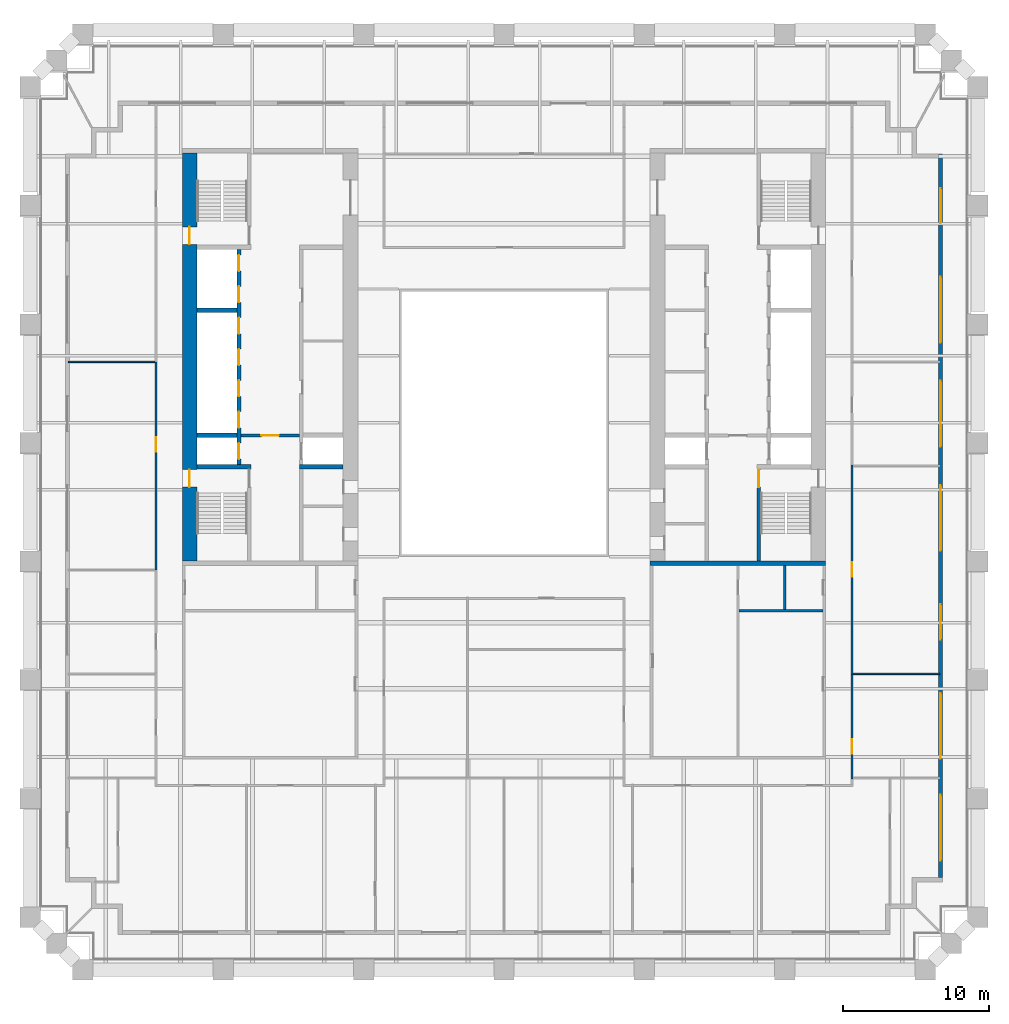
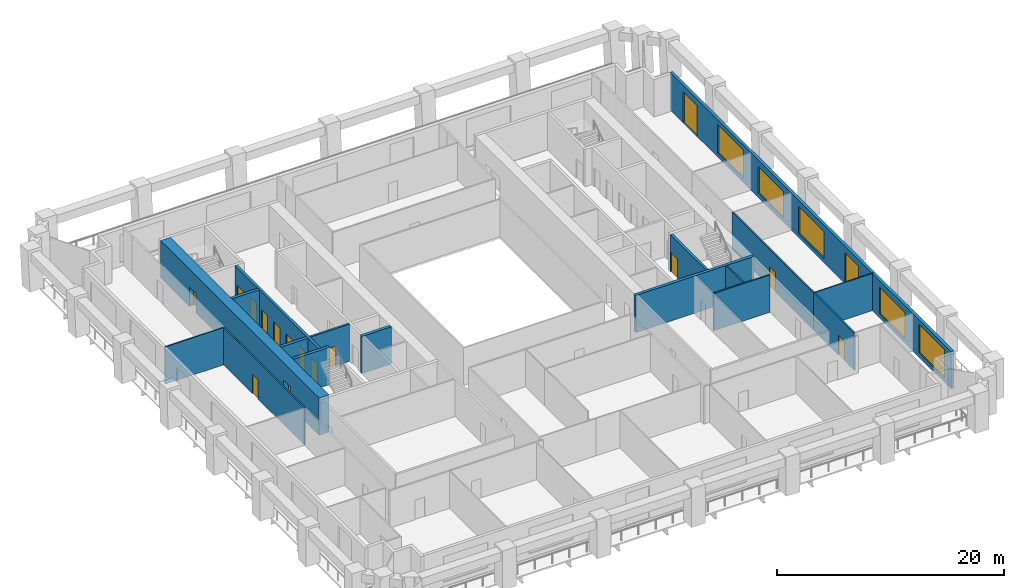
# One storey, part 5 of 9: 17 walls, 16 doors, 5 windows, 21 openings.
"""IFC4 building model written with IfcOpenShell, lengths in metres."""

from ifc_helpers import new_model, si_unit, direction, frame, frame_2d, origin, place, context, subcontext, project, spatial, rectangle, extrude, material, layer, layer_set, type_object, element, fill, save


model = new_model("IFC4")

# Units and contexts
model_context = context("Model", 3, precision=1e-05, world=origin(), true_north=direction((0.0, 1.0)))
body_context = subcontext(model_context, "Body", "Model", "MODEL_VIEW")
ifc_project = project(units=[si_unit("LENGTHUNIT", "METRE"), si_unit("AREAUNIT", "SQUARE_METRE"), si_unit("VOLUMEUNIT", "CUBIC_METRE"), si_unit("PLANEANGLEUNIT", "RADIAN"), si_unit("MASSUNIT", "GRAM", prefix="KILO")], contexts=[model_context])

# Site, building, storey
site_placement = place(None, origin())
site = spatial("IfcSite", under=ifc_project, at=site_placement, CompositionType="ELEMENT")
building_placement = place(site_placement, origin())
building = spatial("IfcBuilding", under=site, at=building_placement, Name="Ogive Exchange Tower", CompositionType="ELEMENT")
storey_placement = place(building_placement, frame((0.0, 0.0, 56.39990234375)))
storey = spatial("IfcBuildingStorey", under=building, at=storey_placement, Name="L11", CompositionType="ELEMENT", Elevation=56.39990234375)

# Walls
ifc_material_1 = material(Name="Gypsum board partition")
ifc_layer_1 = layer(ifc_material_1, 0.14990234375)
ifc_layer_set_1 = layer_set([ifc_layer_1], Name="Core room partition 150 gypsum")
wall_type_1 = type_object("IfcWallType", Name="Core room partition 150 gypsum", PredefinedType="PARTITIONING", material=ifc_layer_set_1)
wall_1_placement = place(storey_placement, frame((16.074951171875, -5.85009765625, 0.0), z_axis=(0.0, 0.0, 1.0), x_axis=(1.0, 0.0, 0.0)))
element("IfcWall", 1, at=wall_1_placement, inside=storey, type_object=wall_type_1, Name="E annex S wc strip wall 00", PredefinedType="PARTITIONING", context=body_context, shape_type="SweptSolid", body=[
    extrude(rectangle(XDim=5.72509765625, YDim=0.14990234375, at=frame_2d((2.862548828125, 0.0))), origin(), (0.0, 0.0, 1.0), 4.0),
])
wall_2_placement = place(storey_placement, frame((19.199951171875, -5.77490234375, 0.0), z_axis=(0.0, 0.0, 1.0), x_axis=(0.0, 1.0, 0.0)))
element("IfcWall", 2, at=wall_2_placement, inside=storey, type_object=wall_type_1, Name="E annex S wc partition 00", PredefinedType="PARTITIONING", context=body_context, shape_type="SweptSolid", body=[
    extrude(rectangle(XDim=3.02490234375, YDim=0.14990234375, at=frame_2d((1.512451171875, 0.0))), origin(), (0.0, 0.0, 1.0), 4.0),
])

# Wall, opening, door
ifc_material_2 = material(Name="Fire partition EI 60 150")
ifc_layer_2 = layer(ifc_material_2, 0.14990234375)
ifc_layer_set_2 = layer_set([ifc_layer_2], Name="Fire partition EI 60 150")
wall_type_2 = type_object("IfcWallType", Name="Fire partition EI 60 150", PredefinedType="PARTITIONING", material=ifc_layer_set_2)
wall_3_placement = place(storey_placement, frame((-23.800048828125, -3.06005859375, 0.0), z_axis=(0.0, 0.0, 1.0), x_axis=(0.0, 1.0, 0.0)))
wall_3 = element("IfcWall", 3, at=wall_3_placement, inside=storey, type_object=wall_type_2, Name="L11-PWL-010", PredefinedType="PARTITIONING", context=body_context, shape_type="SweptSolid", body=[
    extrude(rectangle(XDim=14.22998046875, YDim=0.14990234375, at=frame_2d((7.114990234375, 0.0))), origin(), (0.0, 0.0, 1.0), 4.0),
])
opening_1_placement = place(wall_3_placement, frame((8.080078125, 0.0, 0.0)))
opening_1 = element("IfcOpeningElement", 4, at=opening_1_placement, cuts=wall_3, Name="Opening L11-I11", PredefinedType="OPENING", context=body_context, shape_type="SweptSolid", body=[
    extrude(rectangle(XDim=1.0, YDim=2.10009765625, at=frame_2d((0.5, 1.050048828125))), frame((0.0, 0.0849609375, 0.0), z_axis=(0.0, -1.0, 0.0), x_axis=(1.0, 0.0, 0.0)), (0.0, 0.0, 1.0), 0.169921875),
])
ifc_material_3 = material(Name="Fire door FD 30S 1000 x 2100")
door_type_1 = type_object("IfcDoorType", Name="Fire door FD 30S 1000 x 2100", OperationType="NOTDEFINED", PredefinedType="DOOR", material=ifc_material_3)
door_1_placement = place(opening_1_placement, origin())
door_1 = element("IfcDoor", 5, at=door_1_placement, inside=storey, type_object=door_type_1, Name="L11-IDR-011", ObjectType="DT3", OperationType="SINGLE_SWING_LEFT", OverallHeight=2.10009765625, OverallWidth=1.0, PredefinedType="DOOR", context=body_context, shape_type="SweptSolid", body=[
    extrude(rectangle(XDim=1.0, YDim=2.10009765625, at=frame_2d((0.5, 1.050048828125))), frame((0.0, 0.02490234375, 0.0), z_axis=(0.0, -1.0, 0.0), x_axis=(1.0, 0.0, 0.0)), (0.0, 0.0, 1.0), 0.050048828125),
])
fill(opening_1, door_1)

wall_4_placement = place(storey_placement, frame((23.800048828125, -10.219970703125, 0.0), z_axis=(0.0, 0.0, 1.0), x_axis=(0.0, -1.0, 0.0)))
wall_4 = element("IfcWall", 6, at=wall_4_placement, inside=storey, type_object=wall_type_2, Name="L11-PWL-048", PredefinedType="PARTITIONING", context=body_context, shape_type="SweptSolid", body=[
    extrude(rectangle(XDim=7.1201171875, YDim=0.14990234375, at=frame_2d((3.56005859375, 0.0))), origin(), (0.0, 0.0, 1.0), 4.0),
])
opening_2_placement = place(wall_4_placement, frame((4.419921875, 0.0, 0.0)))
opening_2 = element("IfcOpeningElement", 7, at=opening_2_placement, cuts=wall_4, Name="Opening L11-I07", PredefinedType="OPENING", context=body_context, shape_type="SweptSolid", body=[
    extrude(rectangle(XDim=1.0, YDim=2.10009765625, at=frame_2d((0.5, 1.050048828125))), frame((0.0, 0.0849609375, 0.0), z_axis=(0.0, -1.0, 0.0), x_axis=(1.0, 0.0, 0.0)), (0.0, 0.0, 1.0), 0.169921875),
])
door_2_placement = place(opening_2_placement, origin())
door_2 = element("IfcDoor", 8, at=door_2_placement, inside=storey, type_object=door_type_1, Name="L11-IDR-007", ObjectType="DT3", OperationType="SINGLE_SWING_LEFT", OverallHeight=2.10009765625, OverallWidth=1.0, PredefinedType="DOOR", context=body_context, shape_type="SweptSolid", body=[
    extrude(rectangle(XDim=1.0, YDim=2.10009765625, at=frame_2d((0.5, 1.050048828125))), frame((0.0, 0.02490234375, 0.0), z_axis=(0.0, -1.0, 0.0), x_axis=(1.0, 0.0, 0.0)), (0.0, 0.0, 1.0), 0.050048828125),
])
fill(opening_2, door_2)

wall_5_placement = place(storey_placement, frame((23.800048828125, 4.110107421875, 0.0), z_axis=(0.0, 0.0, 1.0), x_axis=(0.0, -1.0, 0.0)))
wall_5 = element("IfcWall", 9, at=wall_5_placement, inside=storey, type_object=wall_type_2, Name="L11-PWL-049", PredefinedType="PARTITIONING", context=body_context, shape_type="SweptSolid", body=[
    extrude(rectangle(XDim=14.330078125, YDim=0.14990234375, at=frame_2d((7.1650390625, 0.0))), origin(), (0.0, 0.0, 1.0), 4.0),
])
opening_3_placement = place(wall_5_placement, frame((6.6298828125, 0.0, 0.0)))
opening_3 = element("IfcOpeningElement", 10, at=opening_3_placement, cuts=wall_5, Name="Opening L11-I06", PredefinedType="OPENING", context=body_context, shape_type="SweptSolid", body=[
    extrude(rectangle(XDim=1.0, YDim=2.10009765625, at=frame_2d((0.5, 1.050048828125))), frame((0.0, 0.0849609375, 0.0), z_axis=(0.0, -1.0, 0.0), x_axis=(1.0, 0.0, 0.0)), (0.0, 0.0, 1.0), 0.169921875),
])
door_3_placement = place(opening_3_placement, origin())
door_3 = element("IfcDoor", 11, at=door_3_placement, inside=storey, type_object=door_type_1, Name="L11-IDR-006", ObjectType="DT3", OperationType="SINGLE_SWING_LEFT", OverallHeight=2.10009765625, OverallWidth=1.0, PredefinedType="DOOR", context=body_context, shape_type="SweptSolid", body=[
    extrude(rectangle(XDim=1.0, YDim=2.10009765625, at=frame_2d((0.5, 1.050048828125))), frame((0.0, 0.02490234375, 0.0), z_axis=(0.0, -1.0, 0.0), x_axis=(1.0, 0.0, 0.0)), (0.0, 0.0, 1.0), 0.050048828125),
])
fill(opening_3, door_3)

# Wall, openings, doors, windows
ifc_material_4 = material(Name="Precast concrete C40/50", Category="concrete")
ifc_layer_3 = layer(ifc_material_4, 0.300048828125)
ifc_layer_set_3 = layer_set([ifc_layer_3], Name="Limestone-faced wall 300")
wall_type_3 = type_object("IfcWallType", Name="Limestone-faced wall 300", PredefinedType="STANDARD", material=ifc_layer_set_3)
wall_6_placement = place(storey_placement, frame((29.85009765625, -24.10009765625, 0.0), z_axis=(0.0, 0.0, 1.0), x_axis=(0.0, 1.0, 0.0)))
wall_6 = element("IfcWall", 12, at=wall_6_placement, inside=storey, type_object=wall_type_3, Name="External wall E2", PredefinedType="STANDARD", context=body_context, shape_type="SweptSolid", body=[
    extrude(rectangle(XDim=49.5, YDim=0.300048828125, at=frame_2d((24.75, 0.0))), origin(), (0.0, 0.0, 1.0), 4.0),
])
opening_4_placement = place(wall_6_placement, frame((1.156982421875, 0.0, 0.449951171875)))
opening_4 = element("IfcOpeningElement", 13, at=opening_4_placement, cuts=wall_6, Name="Opening W1", PredefinedType="OPENING", context=body_context, shape_type="SweptSolid", body=[
    extrude(rectangle(XDim=4.5, YDim=3.050048828125, at=frame_2d((2.25, 1.52490234375))), frame((0.0, 0.159912109375, 0.0), z_axis=(0.0, -1.0, 0.0), x_axis=(1.0, 0.0, 0.0)), (0.0, 0.0, 1.0), 0.320068359375),
])
opening_5_placement = place(wall_6_placement, frame((8.121337890625, 0.0, 0.449951171875)))
opening_5 = element("IfcOpeningElement", 14, at=opening_5_placement, cuts=wall_6, Name="Opening W1E", PredefinedType="OPENING", context=body_context, shape_type="SweptSolid", body=[
    extrude(rectangle(XDim=4.5, YDim=2.824951171875, at=frame_2d((2.25, 1.41259765625))), frame((0.0, 0.159912109375, 0.0), z_axis=(0.0, -1.0, 0.0), x_axis=(1.0, 0.0, 0.0)), (0.0, 0.0, 1.0), 0.320068359375),
])
opening_6_placement = place(wall_6_placement, frame((16.28564453125, 0.0, 0.0)))
opening_6 = element("IfcOpeningElement", 15, at=opening_6_placement, cuts=wall_6, Name="Opening D1C", PredefinedType="OPENING", context=body_context, shape_type="SweptSolid", body=[
    extrude(rectangle(XDim=2.39990234375, YDim=3.324951171875, at=frame_2d((1.199951171875, 1.66259765625))), frame((0.0, 0.159912109375, 0.0), z_axis=(0.0, -1.0, 0.0), x_axis=(1.0, 0.0, 0.0)), (0.0, 0.0, 1.0), 0.320068359375),
])
opening_7_placement = place(wall_6_placement, frame((22.35009765625, 0.0, 0.449951171875)))
opening_7 = element("IfcOpeningElement", 16, at=opening_7_placement, cuts=wall_6, Name="Opening W1D", PredefinedType="OPENING", context=body_context, shape_type="SweptSolid", body=[
    extrude(rectangle(XDim=4.5, YDim=2.875, at=frame_2d((2.25, 1.4375))), frame((0.0, 0.159912109375, 0.0), z_axis=(0.0, -1.0, 0.0), x_axis=(1.0, 0.0, 0.0)), (0.0, 0.0, 1.0), 0.320068359375),
])
opening_8_placement = place(wall_6_placement, frame((29.464111328125, 0.0, 0.449951171875)))
opening_8 = element("IfcOpeningElement", 17, at=opening_8_placement, cuts=wall_6, Name="Opening W1D", PredefinedType="OPENING", context=body_context, shape_type="SweptSolid", body=[
    extrude(rectangle(XDim=4.5, YDim=2.875, at=frame_2d((2.25, 1.4375))), frame((0.0, 0.159912109375, 0.0), z_axis=(0.0, -1.0, 0.0), x_axis=(1.0, 0.0, 0.0)), (0.0, 0.0, 1.0), 0.320068359375),
])
opening_9_placement = place(wall_6_placement, frame((36.57861328125, 0.0, 0.449951171875)))
opening_9 = element("IfcOpeningElement", 18, at=opening_9_placement, cuts=wall_6, Name="Opening W1", PredefinedType="OPENING", context=body_context, shape_type="SweptSolid", body=[
    extrude(rectangle(XDim=4.5, YDim=3.050048828125, at=frame_2d((2.25, 1.52490234375))), frame((0.0, 0.159912109375, 0.0), z_axis=(0.0, -1.0, 0.0), x_axis=(1.0, 0.0, 0.0)), (0.0, 0.0, 1.0), 0.320068359375),
])
opening_10_placement = place(wall_6_placement, frame((44.742919921875, 0.0, 0.0)))
opening_10 = element("IfcOpeningElement", 19, at=opening_10_placement, cuts=wall_6, Name="Opening D1C", PredefinedType="OPENING", context=body_context, shape_type="SweptSolid", body=[
    extrude(rectangle(XDim=2.39990234375, YDim=3.324951171875, at=frame_2d((1.199951171875, 1.66259765625))), frame((0.0, 0.159912109375, 0.0), z_axis=(0.0, -1.0, 0.0), x_axis=(1.0, 0.0, 0.0)), (0.0, 0.0, 1.0), 0.320068359375),
])
ifc_material_5 = material(Name="Clear glass in bronze frame", Category="glass")
door_type_2 = type_object("IfcDoorType", Name="Sliding loggia door 2400 x 3325", OperationType="DOUBLE_DOOR_SLIDING", PredefinedType="DOOR", material=ifc_material_5)
door_4_placement = place(opening_6_placement, origin())
door_4 = element("IfcDoor", 20, at=door_4_placement, inside=storey, type_object=door_type_2, Name="Loggia door E02", OperationType="DOUBLE_DOOR_SLIDING", OverallHeight=3.324951171875, OverallWidth=2.39990234375, PredefinedType="DOOR", context=body_context, shape_type="SweptSolid", body=[
    extrude(rectangle(XDim=2.39990234375, YDim=3.324951171875, at=frame_2d((1.199951171875, 1.66259765625))), frame((0.0, 0.02490234375, 0.0), z_axis=(0.0, -1.0, 0.0), x_axis=(1.0, 0.0, 0.0)), (0.0, 0.0, 1.0), 0.050048828125),
])
fill(opening_6, door_4)
door_5_placement = place(opening_10_placement, origin())
door_5 = element("IfcDoor", 21, at=door_5_placement, inside=storey, type_object=door_type_2, Name="Loggia door E06", OperationType="DOUBLE_DOOR_SLIDING", OverallHeight=3.324951171875, OverallWidth=2.39990234375, PredefinedType="DOOR", context=body_context, shape_type="SweptSolid", body=[
    extrude(rectangle(XDim=2.39990234375, YDim=3.324951171875, at=frame_2d((1.199951171875, 1.66259765625))), frame((0.0, 0.02490234375, 0.0), z_axis=(0.0, -1.0, 0.0), x_axis=(1.0, 0.0, 0.0)), (0.0, 0.0, 1.0), 0.050048828125),
])
fill(opening_10, door_5)
window_type_1 = type_object("IfcWindowType", Name="Twin lancet window 4500 x 2825", PartitioningType="DOUBLE_PANEL_VERTICAL", PredefinedType="WINDOW", material=ifc_material_5)
window_1_placement = place(opening_5_placement, origin())
window_1 = element("IfcWindow", 22, at=window_1_placement, inside=storey, type_object=window_type_1, Name="Window E01", OverallHeight=2.824951171875, OverallWidth=4.5, PartitioningType="DOUBLE_PANEL_VERTICAL", PredefinedType="WINDOW", context=body_context, shape_type="SweptSolid", body=[
    extrude(rectangle(XDim=4.5, YDim=2.824951171875, at=frame_2d((2.25, 1.41259765625))), frame((0.0, 0.030029296875, 0.0), z_axis=(0.0, -1.0, 0.0), x_axis=(1.0, 0.0, 0.0)), (0.0, 0.0, 1.0), 0.06005859375),
])
fill(opening_5, window_1)
window_type_2 = type_object("IfcWindowType", Name="Twin lancet window 4500 x 2875", PartitioningType="DOUBLE_PANEL_VERTICAL", PredefinedType="WINDOW", material=ifc_material_5)
window_2_placement = place(opening_7_placement, origin())
window_2 = element("IfcWindow", 23, at=window_2_placement, inside=storey, type_object=window_type_2, Name="Window E03", OverallHeight=2.875, OverallWidth=4.5, PartitioningType="DOUBLE_PANEL_VERTICAL", PredefinedType="WINDOW", context=body_context, shape_type="SweptSolid", body=[
    extrude(rectangle(XDim=4.5, YDim=2.875, at=frame_2d((2.25, 1.4375))), frame((0.0, 0.030029296875, 0.0), z_axis=(0.0, -1.0, 0.0), x_axis=(1.0, 0.0, 0.0)), (0.0, 0.0, 1.0), 0.06005859375),
])
fill(opening_7, window_2)
window_3_placement = place(opening_8_placement, origin())
window_3 = element("IfcWindow", 24, at=window_3_placement, inside=storey, type_object=window_type_2, Name="Window E04", OverallHeight=2.875, OverallWidth=4.5, PartitioningType="DOUBLE_PANEL_VERTICAL", PredefinedType="WINDOW", context=body_context, shape_type="SweptSolid", body=[
    extrude(rectangle(XDim=4.5, YDim=2.875, at=frame_2d((2.25, 1.4375))), frame((0.0, 0.030029296875, 0.0), z_axis=(0.0, -1.0, 0.0), x_axis=(1.0, 0.0, 0.0)), (0.0, 0.0, 1.0), 0.06005859375),
])
fill(opening_8, window_3)
window_type_3 = type_object("IfcWindowType", Name="Twin lancet window 4500 x 3050", PartitioningType="DOUBLE_PANEL_VERTICAL", PredefinedType="WINDOW", material=ifc_material_5)
window_4_placement = place(opening_4_placement, origin())
window_4 = element("IfcWindow", 25, at=window_4_placement, inside=storey, type_object=window_type_3, Name="Window E00", OverallHeight=3.050048828125, OverallWidth=4.5, PartitioningType="DOUBLE_PANEL_VERTICAL", PredefinedType="WINDOW", context=body_context, shape_type="SweptSolid", body=[
    extrude(rectangle(XDim=4.5, YDim=3.050048828125, at=frame_2d((2.25, 1.52490234375))), frame((0.0, 0.030029296875, 0.0), z_axis=(0.0, -1.0, 0.0), x_axis=(1.0, 0.0, 0.0)), (0.0, 0.0, 1.0), 0.06005859375),
])
fill(opening_4, window_4)
window_5_placement = place(opening_9_placement, origin())
window_5 = element("IfcWindow", 26, at=window_5_placement, inside=storey, type_object=window_type_3, Name="Window E05", OverallHeight=3.050048828125, OverallWidth=4.5, PartitioningType="DOUBLE_PANEL_VERTICAL", PredefinedType="WINDOW", context=body_context, shape_type="SweptSolid", body=[
    extrude(rectangle(XDim=4.5, YDim=3.050048828125, at=frame_2d((2.25, 1.52490234375))), frame((0.0, 0.030029296875, 0.0), z_axis=(0.0, -1.0, 0.0), x_axis=(1.0, 0.0, 0.0)), (0.0, 0.0, 1.0), 0.06005859375),
])
fill(opening_9, window_5)

# Walls
ifc_material_6 = material(Name="Partition 100 gypsum")
ifc_layer_4 = layer(ifc_material_6, 0.10009765625)
ifc_layer_set_4 = layer_set([ifc_layer_4], Name="Partition 100 gypsum")
wall_type_4 = type_object("IfcWallType", Name="Partition 100 gypsum", PredefinedType="PARTITIONING", material=ifc_layer_set_4)
for number, where, z_axis, x_axis, name in (
    (27, (-23.875, 11.169921875, 0.0), (0.0, 0.0, 1.0), (-1.0, 0.0, 0.0), "L11-PWL-011"),
    (28, (29.800048828125, -10.169921875, 0.0), (0.0, 0.0, 1.0), (-1.0, 0.0, 0.0), "L11-PWL-056"),
):
    element("IfcWall", number, at=place(storey_placement, frame(where, z_axis=z_axis, x_axis=x_axis)), inside=storey, type_object=wall_type_4, Name=name, PredefinedType="PARTITIONING", context=body_context, shape_type="SweptSolid", body=[
        extrude(rectangle(XDim=5.925048828125, YDim=0.10009765625, at=frame_2d((2.96240234375, 0.0))), origin(), (0.0, 0.0, 1.0), 4.0),
    ])

# Wall, openings, doors
ifc_material_7 = material(Name="Concrete C70/85", Category="concrete")
ifc_layer_5 = layer(ifc_material_7, 1.0)
ifc_layer_set_5 = layer_set([ifc_layer_5], Name="RC core wall 1000 C70/85")
wall_type_5 = type_object("IfcWallType", Name="RC core wall 1000 C70/85", PredefinedType="SHEAR", material=ifc_layer_set_5)
wall_7_placement = place(storey_placement, frame((-21.5, -2.449951171875, 0.0), z_axis=(0.0, 0.0, 1.0), x_axis=(0.0, 1.0, 0.0)))
wall_7 = element("IfcWall", 29, at=wall_7_placement, inside=storey, type_object=wall_type_5, Name="W outer wall", PredefinedType="SHEAR", context=body_context, shape_type="SweptSolid", body=[
    extrude(rectangle(XDim=27.89990234375, YDim=1.0, at=frame_2d((13.949951171875, 0.0))), origin(), (0.0, 0.0, 1.0), 4.0),
])
opening_11_placement = place(wall_7_placement, frame((5.050048828125, 0.0, 0.0)))
opening_11 = element("IfcOpeningElement", 30, at=opening_11_placement, cuts=wall_7, Name="Opening L11-C14", PredefinedType="OPENING", context=body_context, shape_type="SweptSolid", body=[
    extrude(rectangle(XDim=1.199951171875, YDim=2.10009765625, at=frame_2d((0.60009765625, 1.050048828125))), frame((0.0, 0.510009765625, 0.0), z_axis=(0.0, -1.0, 0.0), x_axis=(1.0, 0.0, 0.0)), (0.0, 0.0, 1.0), 1.02001953125),
])
opening_12_placement = place(wall_7_placement, frame((21.64990234375, 0.0, 0.0)))
opening_12 = element("IfcOpeningElement", 31, at=opening_12_placement, cuts=wall_7, Name="Opening L11-C16", PredefinedType="OPENING", context=body_context, shape_type="SweptSolid", body=[
    extrude(rectangle(XDim=1.199951171875, YDim=2.10009765625, at=frame_2d((0.60009765625, 1.050048828125))), frame((0.0, 0.510009765625, 0.0), z_axis=(0.0, -1.0, 0.0), x_axis=(1.0, 0.0, 0.0)), (0.0, 0.0, 1.0), 1.02001953125),
])
ifc_material_8 = material(Name="Steel fire door", Category="steel")
door_type_3 = type_object("IfcDoorType", Name="Stair door FD90 1200 x 2100", OperationType="NOTDEFINED", PredefinedType="DOOR", material=ifc_material_8)
door_6_placement = place(opening_11_placement, frame((1.199951171875, 0.0, 0.0), z_axis=(0.0, 0.0, 1.0), x_axis=(-1.0, 0.0, 0.0)))
door_6 = element("IfcDoor", 32, at=door_6_placement, inside=storey, type_object=door_type_3, Name="Stair door", ObjectType="CD5", OperationType="SINGLE_SWING_RIGHT", OverallHeight=2.10009765625, OverallWidth=1.199951171875, PredefinedType="DOOR", context=body_context, shape_type="SweptSolid", body=[
    extrude(rectangle(XDim=1.199951171875, YDim=2.10009765625, at=frame_2d((0.60009765625, 1.050048828125))), frame((0.0, 0.02490234375, 0.0), z_axis=(0.0, -1.0, 0.0), x_axis=(1.0, 0.0, 0.0)), (0.0, 0.0, 1.0), 0.050048828125),
])
fill(opening_11, door_6)
door_7_placement = place(opening_12_placement, frame((1.199951171875, 0.0, 0.0), z_axis=(0.0, 0.0, 1.0), x_axis=(-1.0, 0.0, 0.0)))
door_7 = element("IfcDoor", 33, at=door_7_placement, inside=storey, type_object=door_type_3, Name="Stair door", ObjectType="CD5", OperationType="SINGLE_SWING_LEFT", OverallHeight=2.10009765625, OverallWidth=1.199951171875, PredefinedType="DOOR", context=body_context, shape_type="SweptSolid", body=[
    extrude(rectangle(XDim=1.199951171875, YDim=2.10009765625, at=frame_2d((0.60009765625, 1.050048828125))), frame((0.0, 0.02490234375, 0.0), z_axis=(0.0, -1.0, 0.0), x_axis=(1.0, 0.0, 0.0)), (0.0, 0.0, 1.0), 0.050048828125),
])
fill(opening_12, door_7)

# Wall, opening, door
ifc_layer_6 = layer(ifc_material_7, 0.199951171875)
ifc_layer_set_6 = layer_set([ifc_layer_6], Name="RC core wall 200 C70/85")
wall_type_6 = type_object("IfcWallType", Name="RC core wall 200 C70/85", PredefinedType="SHEAR", material=ifc_layer_set_6)
wall_8_placement = place(storey_placement, frame((-18.0, 6.142822265625, 0.0), z_axis=(0.0, 0.0, 1.0), x_axis=(1.0, 0.0, 0.0)))
wall_8 = element("IfcWall", 34, at=wall_8_placement, inside=storey, type_object=wall_type_6, Name="W firefighting lobby wall", PredefinedType="SHEAR", context=body_context, shape_type="SweptSolid", body=[
    extrude(rectangle(XDim=4.0, YDim=0.199951171875, at=frame_2d((2.0, 0.0))), origin(), (0.0, 0.0, 1.0), 4.0),
])
opening_13_placement = place(wall_8_placement, frame((1.39990234375, 0.0, 0.0)))
opening_13 = element("IfcOpeningElement", 35, at=opening_13_placement, cuts=wall_8, Name="Opening L11-C11", PredefinedType="OPENING", context=body_context, shape_type="SweptSolid", body=[
    extrude(rectangle(XDim=1.199951171875, YDim=2.10009765625, at=frame_2d((0.60009765625, 1.050048828125))), frame((0.0, 0.10986328125, 0.0), z_axis=(0.0, -1.0, 0.0), x_axis=(1.0, 0.0, 0.0)), (0.0, 0.0, 1.0), 0.219970703125),
])
door_type_4 = type_object("IfcDoorType", Name="Firefighting lobby door FD60 1200 x 2100", OperationType="NOTDEFINED", PredefinedType="DOOR", material=ifc_material_8)
door_8_placement = place(opening_13_placement, frame((1.199951171875, 0.0, 0.0), z_axis=(0.0, 0.0, 1.0), x_axis=(-1.0, 0.0, 0.0)))
door_8 = element("IfcDoor", 36, at=door_8_placement, inside=storey, type_object=door_type_4, Name="Firefighting lobby door", ObjectType="CD3", OperationType="SINGLE_SWING_RIGHT", OverallHeight=2.10009765625, OverallWidth=1.199951171875, PredefinedType="DOOR", context=body_context, shape_type="SweptSolid", body=[
    extrude(rectangle(XDim=1.199951171875, YDim=2.10009765625, at=frame_2d((0.60009765625, 1.050048828125))), frame((0.0, 0.02490234375, 0.0), z_axis=(0.0, -1.0, 0.0), x_axis=(1.0, 0.0, 0.0)), (0.0, 0.0, 1.0), 0.050048828125),
])
fill(opening_13, door_8)

# Wall, openings, doors
ifc_layer_7 = layer(ifc_material_7, 0.25)
ifc_layer_set_7 = layer_set([ifc_layer_7], Name="RC core wall 250 C70/85")
wall_type_7 = type_object("IfcWallType", Name="RC core wall 250 C70/85", PredefinedType="SHEAR", material=ifc_layer_set_7)
wall_9_placement = place(storey_placement, frame((-18.125, 4.14990234375, 0.0), z_axis=(0.0, 0.0, 1.0), x_axis=(0.0, 1.0, 0.0)))
wall_9 = element("IfcWall", 37, at=wall_9_placement, inside=storey, type_object=wall_type_7, Name="W row A front wall", PredefinedType="SHEAR", context=body_context, shape_type="SweptSolid", body=[
    extrude(rectangle(XDim=14.7001953125, YDim=0.25, at=frame_2d((7.35009765625, 0.0))), origin(), (0.0, 0.0, 1.0), 4.0),
])
opening_14_placement = place(wall_9_placement, frame((0.371337890625, 0.0, 0.0)))
opening_14 = element("IfcOpeningElement", 38, at=opening_14_placement, cuts=wall_9, Name="Opening L11-C01", PredefinedType="OPENING", context=body_context, shape_type="SweptSolid", body=[
    extrude(rectangle(XDim=1.10009765625, YDim=2.10009765625, at=frame_2d((0.550048828125, 1.050048828125))), frame((0.0, 0.135009765625, 0.0), z_axis=(0.0, -1.0, 0.0), x_axis=(1.0, 0.0, 0.0)), (0.0, 0.0, 1.0), 0.27001953125),
])
opening_15_placement = place(wall_9_placement, frame((2.514404296875, 0.0, 0.0)))
opening_15 = element("IfcOpeningElement", 39, at=opening_15_placement, cuts=wall_9, Name="Opening L11-C02", PredefinedType="OPENING", context=body_context, shape_type="SweptSolid", body=[
    extrude(rectangle(XDim=1.10009765625, YDim=2.10009765625, at=frame_2d((0.550048828125, 1.050048828125))), frame((0.0, 0.135009765625, 0.0), z_axis=(0.0, -1.0, 0.0), x_axis=(1.0, 0.0, 0.0)), (0.0, 0.0, 1.0), 0.27001953125),
])
opening_16_placement = place(wall_9_placement, frame((4.656982421875, 0.0, 0.0)))
opening_16 = element("IfcOpeningElement", 40, at=opening_16_placement, cuts=wall_9, Name="Opening L11-C03", PredefinedType="OPENING", context=body_context, shape_type="SweptSolid", body=[
    extrude(rectangle(XDim=1.10009765625, YDim=2.10009765625, at=frame_2d((0.550048828125, 1.050048828125))), frame((0.0, 0.135009765625, 0.0), z_axis=(0.0, -1.0, 0.0), x_axis=(1.0, 0.0, 0.0)), (0.0, 0.0, 1.0), 0.27001953125),
])
opening_17_placement = place(wall_9_placement, frame((6.800048828125, 0.0, 0.0)))
opening_17 = element("IfcOpeningElement", 41, at=opening_17_placement, cuts=wall_9, Name="Opening L11-C04", PredefinedType="OPENING", context=body_context, shape_type="SweptSolid", body=[
    extrude(rectangle(XDim=1.10009765625, YDim=2.10009765625, at=frame_2d((0.550048828125, 1.050048828125))), frame((0.0, 0.135009765625, 0.0), z_axis=(0.0, -1.0, 0.0), x_axis=(1.0, 0.0, 0.0)), (0.0, 0.0, 1.0), 0.27001953125),
])
opening_18_placement = place(wall_9_placement, frame((8.94287109375, 0.0, 0.0)))
opening_18 = element("IfcOpeningElement", 42, at=opening_18_placement, cuts=wall_9, Name="Opening L11-C05", PredefinedType="OPENING", context=body_context, shape_type="SweptSolid", body=[
    extrude(rectangle(XDim=1.10009765625, YDim=2.10009765625, at=frame_2d((0.550048828125, 1.050048828125))), frame((0.0, 0.135009765625, 0.0), z_axis=(0.0, -1.0, 0.0), x_axis=(1.0, 0.0, 0.0)), (0.0, 0.0, 1.0), 0.27001953125),
])
opening_19_placement = place(wall_9_placement, frame((11.085693359375, 0.0, 0.0)))
opening_19 = element("IfcOpeningElement", 43, at=opening_19_placement, cuts=wall_9, Name="Opening L11-C06", PredefinedType="OPENING", context=body_context, shape_type="SweptSolid", body=[
    extrude(rectangle(XDim=1.10009765625, YDim=2.10009765625, at=frame_2d((0.550048828125, 1.050048828125))), frame((0.0, 0.135009765625, 0.0), z_axis=(0.0, -1.0, 0.0), x_axis=(1.0, 0.0, 0.0)), (0.0, 0.0, 1.0), 0.27001953125),
])
opening_20_placement = place(wall_9_placement, frame((13.228515625, 0.0, 0.0)))
opening_20 = element("IfcOpeningElement", 44, at=opening_20_placement, cuts=wall_9, Name="Opening L11-C07", PredefinedType="OPENING", context=body_context, shape_type="SweptSolid", body=[
    extrude(rectangle(XDim=1.10009765625, YDim=2.10009765625, at=frame_2d((0.550048828125, 1.050048828125))), frame((0.0, 0.135009765625, 0.0), z_axis=(0.0, -1.0, 0.0), x_axis=(1.0, 0.0, 0.0)), (0.0, 0.0, 1.0), 0.27001953125),
])
ifc_material_9 = material(Name="Stainless steel", Category="steel")
door_type_5 = type_object("IfcDoorType", Name="Lift landing door FD90 1100 x 2100", OperationType="SLIDING_TO_LEFT", PredefinedType="DOOR", material=ifc_material_9)
door_9_placement = place(opening_14_placement, origin())
door_9 = element("IfcDoor", 45, at=door_9_placement, inside=storey, type_object=door_type_5, Name="Lift landing door FF1", ObjectType="LD", OperationType="SLIDING_TO_LEFT", OverallHeight=2.10009765625, OverallWidth=1.10009765625, PredefinedType="DOOR", context=body_context, shape_type="SweptSolid", body=[
    extrude(rectangle(XDim=1.10009765625, YDim=2.10009765625, at=frame_2d((0.550048828125, 1.050048828125))), frame((0.0, 0.02490234375, 0.0), z_axis=(0.0, -1.0, 0.0), x_axis=(1.0, 0.0, 0.0)), (0.0, 0.0, 1.0), 0.050048828125),
])
fill(opening_14, door_9)
door_10_placement = place(opening_15_placement, origin())
door_10 = element("IfcDoor", 46, at=door_10_placement, inside=storey, type_object=door_type_5, Name="Lift landing door W-L1", ObjectType="LD", OperationType="SLIDING_TO_LEFT", OverallHeight=2.10009765625, OverallWidth=1.10009765625, PredefinedType="DOOR", context=body_context, shape_type="SweptSolid", body=[
    extrude(rectangle(XDim=1.10009765625, YDim=2.10009765625, at=frame_2d((0.550048828125, 1.050048828125))), frame((0.0, 0.02490234375, 0.0), z_axis=(0.0, -1.0, 0.0), x_axis=(1.0, 0.0, 0.0)), (0.0, 0.0, 1.0), 0.050048828125),
])
fill(opening_15, door_10)
door_11_placement = place(opening_16_placement, origin())
door_11 = element("IfcDoor", 47, at=door_11_placement, inside=storey, type_object=door_type_5, Name="Lift landing door W-L2", ObjectType="LD", OperationType="SLIDING_TO_LEFT", OverallHeight=2.10009765625, OverallWidth=1.10009765625, PredefinedType="DOOR", context=body_context, shape_type="SweptSolid", body=[
    extrude(rectangle(XDim=1.10009765625, YDim=2.10009765625, at=frame_2d((0.550048828125, 1.050048828125))), frame((0.0, 0.02490234375, 0.0), z_axis=(0.0, -1.0, 0.0), x_axis=(1.0, 0.0, 0.0)), (0.0, 0.0, 1.0), 0.050048828125),
])
fill(opening_16, door_11)
door_12_placement = place(opening_17_placement, origin())
door_12 = element("IfcDoor", 48, at=door_12_placement, inside=storey, type_object=door_type_5, Name="Lift landing door W-L3", ObjectType="LD", OperationType="SLIDING_TO_LEFT", OverallHeight=2.10009765625, OverallWidth=1.10009765625, PredefinedType="DOOR", context=body_context, shape_type="SweptSolid", body=[
    extrude(rectangle(XDim=1.10009765625, YDim=2.10009765625, at=frame_2d((0.550048828125, 1.050048828125))), frame((0.0, 0.02490234375, 0.0), z_axis=(0.0, -1.0, 0.0), x_axis=(1.0, 0.0, 0.0)), (0.0, 0.0, 1.0), 0.050048828125),
])
fill(opening_17, door_12)
door_13_placement = place(opening_18_placement, origin())
door_13 = element("IfcDoor", 49, at=door_13_placement, inside=storey, type_object=door_type_5, Name="Lift landing door W-L4", ObjectType="LD", OperationType="SLIDING_TO_LEFT", OverallHeight=2.10009765625, OverallWidth=1.10009765625, PredefinedType="DOOR", context=body_context, shape_type="SweptSolid", body=[
    extrude(rectangle(XDim=1.10009765625, YDim=2.10009765625, at=frame_2d((0.550048828125, 1.050048828125))), frame((0.0, 0.02490234375, 0.0), z_axis=(0.0, -1.0, 0.0), x_axis=(1.0, 0.0, 0.0)), (0.0, 0.0, 1.0), 0.050048828125),
])
fill(opening_18, door_13)
door_14_placement = place(opening_19_placement, origin())
door_14 = element("IfcDoor", 50, at=door_14_placement, inside=storey, type_object=door_type_5, Name="Lift landing door W-SH1", ObjectType="LD", OperationType="SLIDING_TO_LEFT", OverallHeight=2.10009765625, OverallWidth=1.10009765625, PredefinedType="DOOR", context=body_context, shape_type="SweptSolid", body=[
    extrude(rectangle(XDim=1.10009765625, YDim=2.10009765625, at=frame_2d((0.550048828125, 1.050048828125))), frame((0.0, 0.02490234375, 0.0), z_axis=(0.0, -1.0, 0.0), x_axis=(1.0, 0.0, 0.0)), (0.0, 0.0, 1.0), 0.050048828125),
])
fill(opening_19, door_14)
door_15_placement = place(opening_20_placement, origin())
door_15 = element("IfcDoor", 51, at=door_15_placement, inside=storey, type_object=door_type_5, Name="Lift landing door W-SH2", ObjectType="LD", OperationType="SLIDING_TO_LEFT", OverallHeight=2.10009765625, OverallWidth=1.10009765625, PredefinedType="DOOR", context=body_context, shape_type="SweptSolid", body=[
    extrude(rectangle(XDim=1.10009765625, YDim=2.10009765625, at=frame_2d((0.550048828125, 1.050048828125))), frame((0.0, 0.02490234375, 0.0), z_axis=(0.0, -1.0, 0.0), x_axis=(1.0, 0.0, 0.0)), (0.0, 0.0, 1.0), 0.050048828125),
])
fill(opening_20, door_15)

# Wall, opening, door
wall_10_placement = place(storey_placement, frame((17.425048828125, -2.449951171875, 0.0), z_axis=(0.0, 0.0, 1.0), x_axis=(0.0, 1.0, 0.0)))
wall_10 = element("IfcWall", 52, at=wall_10_placement, inside=storey, type_object=wall_type_7, Name="E stair S front wall", PredefinedType="SHEAR", context=body_context, shape_type="SweptSolid", body=[
    extrude(rectangle(XDim=6.300048828125, YDim=0.25, at=frame_2d((3.14990234375, 0.0))), origin(), (0.0, 0.0, 1.0), 4.0),
])
opening_21_placement = place(wall_10_placement, frame((5.050048828125, 0.0, 0.0)))
opening_21 = element("IfcOpeningElement", 53, at=opening_21_placement, cuts=wall_10, Name="Opening L11-C35", PredefinedType="OPENING", context=body_context, shape_type="SweptSolid", body=[
    extrude(rectangle(XDim=1.199951171875, YDim=2.10009765625, at=frame_2d((0.60009765625, 1.050048828125))), frame((0.0, 0.135009765625, 0.0), z_axis=(0.0, -1.0, 0.0), x_axis=(1.0, 0.0, 0.0)), (0.0, 0.0, 1.0), 0.27001953125),
])
door_16_placement = place(opening_21_placement, frame((1.199951171875, 0.0, 0.0), z_axis=(0.0, 0.0, 1.0), x_axis=(-1.0, 0.0, 0.0)))
door_16 = element("IfcDoor", 54, at=door_16_placement, inside=storey, type_object=door_type_3, Name="Stair door", ObjectType="CD5", OperationType="SINGLE_SWING_RIGHT", OverallHeight=2.10009765625, OverallWidth=1.199951171875, PredefinedType="DOOR", context=body_context, shape_type="SweptSolid", body=[
    extrude(rectangle(XDim=1.199951171875, YDim=2.10009765625, at=frame_2d((0.60009765625, 1.050048828125))), frame((0.0, 0.02490234375, 0.0), z_axis=(0.0, -1.0, 0.0), x_axis=(1.0, 0.0, 0.0)), (0.0, 0.0, 1.0), 0.050048828125),
])
fill(opening_21, door_16)

# Walls
ifc_layer_8 = layer(ifc_material_7, 0.300048828125)
ifc_layer_set_8 = layer_set([ifc_layer_8], Name="RC core wall 300 C70/85")
wall_type_8 = type_object("IfcWallType", Name="RC core wall 300 C70/85", PredefinedType="SHEAR", material=ifc_layer_set_8)
wall_11_placement = place(storey_placement, frame((-21.0, 4.0, 0.0), z_axis=(0.0, 0.0, 1.0), x_axis=(1.0, 0.0, 0.0)))
element("IfcWall", 55, at=wall_11_placement, inside=storey, type_object=wall_type_8, Name="W stair S north wall", PredefinedType="SHEAR", context=body_context, shape_type="SweptSolid", body=[
    extrude(rectangle(XDim=3.699951171875, YDim=0.300048828125, at=frame_2d((1.85009765625, 0.0))), origin(), (0.0, 0.0, 1.0), 4.0),
])
for number, where, z_axis, x_axis, name in (
    (56, (-21.0, 6.142822265625, 0.0), (0.0, 0.0, 1.0), (1.0, 0.0, 0.0), "W row A divider 1"),
    (57, (-21.0, 14.71435546875, 0.0), (0.0, 0.0, 1.0), (1.0, 0.0, 0.0), "W row A divider 5"),
):
    element("IfcWall", number, at=place(storey_placement, frame(where, z_axis=z_axis, x_axis=x_axis)), inside=storey, type_object=wall_type_8, Name=name, PredefinedType="SHEAR", context=body_context, shape_type="SweptSolid", body=[
        extrude(rectangle(XDim=2.75, YDim=0.300048828125, at=frame_2d((1.375, 0.0))), origin(), (0.0, 0.0, 1.0), 4.0),
    ])
wall_12_placement = place(storey_placement, frame((-14.0, 4.0, 0.0), z_axis=(0.0, 0.0, 1.0), x_axis=(1.0, 0.0, 0.0)))
element("IfcWall", 58, at=wall_12_placement, inside=storey, type_object=wall_type_8, Name="W row B divider 0", PredefinedType="SHEAR", context=body_context, shape_type="SweptSolid", body=[
    extrude(rectangle(XDim=3.0, YDim=0.300048828125, at=frame_2d((1.5, 0.0))), origin(), (0.0, 0.0, 1.0), 4.0),
])
wall_13_placement = place(storey_placement, frame((10.0, -2.60009765625, 0.0), z_axis=(0.0, 0.0, 1.0), x_axis=(1.0, 0.0, 0.0)))
element("IfcWall", 59, at=wall_13_placement, inside=storey, type_object=wall_type_8, Name="E south end wall", PredefinedType="SHEAR", context=body_context, shape_type="SweptSolid", body=[
    extrude(rectangle(XDim=12.0, YDim=0.300048828125, at=frame_2d((6.0, 0.0))), origin(), (0.0, 0.0, 1.0), 4.0),
])

save(model, "model.ifc")
